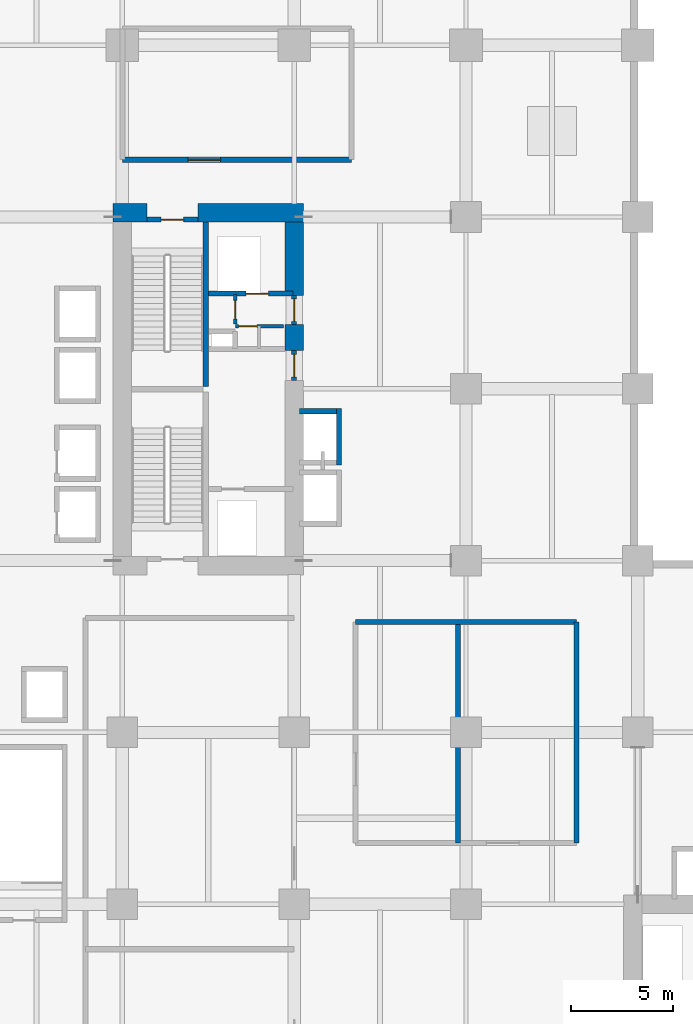
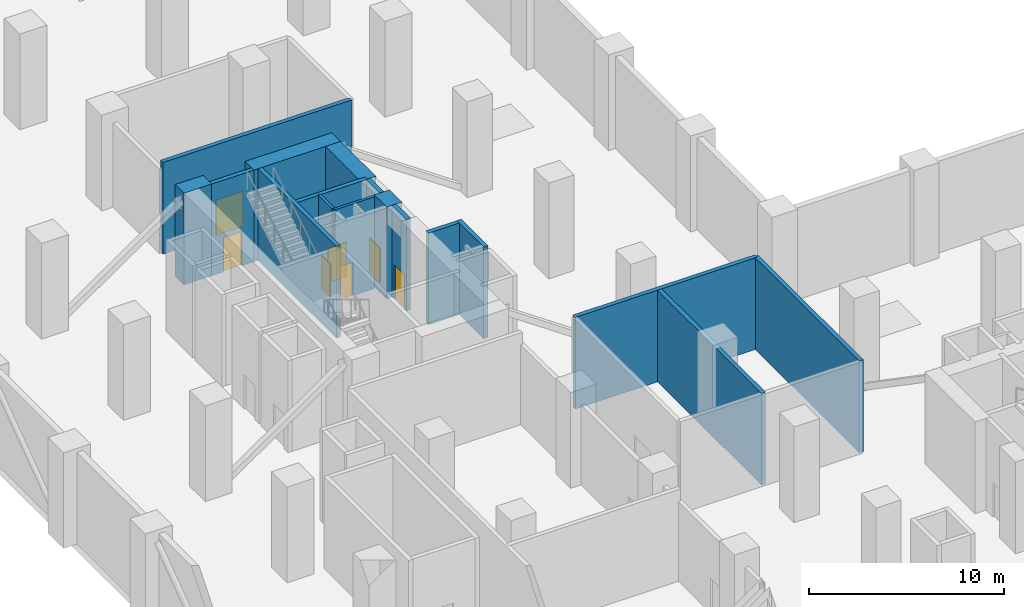
# One storey, part 16 of 20: 17 walls, 7 doors, 7 openings.
"""IFC4 building model written with IfcOpenShell, lengths in metres."""

from ifc_helpers import new_model, si_unit, direction, frame, frame_2d, origin, place, context, subcontext, project, spatial, rectangle, extrude, material, layer, layer_set, type_object, element, fill, save


model = new_model("IFC4")

# Units and contexts
model_context = context("Model", 3, precision=1e-05, world=origin(), true_north=direction((0.0, 1.0)))
body_context = subcontext(model_context, "Body", "Model", "MODEL_VIEW")
ifc_project = project(units=[si_unit("LENGTHUNIT", "METRE"), si_unit("AREAUNIT", "SQUARE_METRE"), si_unit("VOLUMEUNIT", "CUBIC_METRE"), si_unit("PLANEANGLEUNIT", "RADIAN"), si_unit("MASSUNIT", "GRAM", prefix="KILO")], contexts=[model_context])

# Site, building, storey
site_placement = place(None, origin())
site = spatial("IfcSite", under=ifc_project, at=site_placement, CompositionType="ELEMENT")
building_placement = place(site_placement, origin())
building = spatial("IfcBuilding", under=site, at=building_placement, Name="Koriwani Terraces Tower", CompositionType="ELEMENT")
storey_placement = place(building_placement, frame((0.0, 0.0, 26.0)))
storey = spatial("IfcBuildingStorey", under=building, at=storey_placement, Name="L05", CompositionType="ELEMENT", Elevation=26.0)

# Walls
ifc_material_1 = material(Name="Concrete C60/75", Category="concrete")
ifc_layer_1 = layer(ifc_material_1, 0.89990234375, Name="Concrete C60/75")
ifc_layer_set_1 = layer_set([ifc_layer_1], Name="Concrete C60/75")
wall_type_1 = type_object("IfcWallType", Name="WALL_CORE_RC_900", PredefinedType="SHEAR", material=ifc_layer_set_1)
wall_1_placement = place(storey_placement, frame((16.35009765625, 59.0, 0.0), z_axis=(0.0, 0.0, 1.0), x_axis=(1.0, 0.0, 0.0)))
element("IfcWall", 1, at=wall_1_placement, inside=storey, type_object=wall_type_1, Name="L05 West Split Core Shear Wall N1", PredefinedType="SHEAR", context=body_context, shape_type="SweptSolid", body=[
    extrude(rectangle(XDim=1.64990234375, YDim=0.89990234375, at=frame_2d((0.824951171875, 0.0))), origin(), (0.0, 0.0, 1.0), 5.75),
])
wall_2_placement = place(storey_placement, frame((20.5, 59.0, 0.0), z_axis=(0.0, 0.0, 1.0), x_axis=(1.0, 0.0, 0.0)))
element("IfcWall", 2, at=wall_2_placement, inside=storey, type_object=wall_type_1, Name="L05 West Split Core Shear Wall N2", PredefinedType="SHEAR", context=body_context, shape_type="SweptSolid", body=[
    extrude(rectangle(XDim=5.14990234375, YDim=0.89990234375, at=frame_2d((2.574951171875, 0.0))), origin(), (0.0, 0.0, 1.0), 5.75),
])
wall_3_placement = place(storey_placement, frame((25.199951171875, 52.280029296875, 0.0), z_axis=(0.0, 0.0, 1.0), x_axis=(0.0, 1.0, 0.0)))
element("IfcWall", 3, at=wall_3_placement, inside=storey, type_object=wall_type_1, Name="L05 West Split Core Shear Wall E2", PredefinedType="SHEAR", context=body_context, shape_type="SweptSolid", body=[
    extrude(rectangle(XDim=1.27001953125, YDim=0.89990234375, at=frame_2d((0.635009765625, 0.0))), origin(), (0.0, 0.0, 1.0), 5.75),
])
wall_4_placement = place(storey_placement, frame((25.199951171875, 54.949951171875, 0.0), z_axis=(0.0, 0.0, 1.0), x_axis=(0.0, 1.0, 0.0)))
element("IfcWall", 4, at=wall_4_placement, inside=storey, type_object=wall_type_1, Name="L05 West Split Core Shear Wall E3", PredefinedType="SHEAR", context=body_context, shape_type="SweptSolid", body=[
    extrude(rectangle(XDim=3.60009765625, YDim=0.89990234375, at=frame_2d((1.800048828125, 0.0))), origin(), (0.0, 0.0, 1.0), 5.75),
])
ifc_material_2 = material(Name="Concrete C40/50", Category="concrete")
ifc_layer_2 = layer(ifc_material_2, 0.25, Name="Concrete C40/50")
ifc_layer_set_2 = layer_set([ifc_layer_2], Name="Concrete C40/50")
wall_type_2 = type_object("IfcWallType", Name="WALL_SHAFT_RATED_250", PredefinedType="SOLIDWALL", material=ifc_layer_set_2)
wall_5_placement = place(storey_placement, frame((20.875, 50.5, 0.0), z_axis=(0.0, 0.0, 1.0), x_axis=(0.0, 1.0, 0.0)))
element("IfcWall", 5, at=wall_5_placement, inside=storey, type_object=wall_type_2, Name="L05 West Split Core Web Wall MID2", PredefinedType="SOLIDWALL", context=body_context, shape_type="SweptSolid", body=[
    extrude(rectangle(XDim=8.050048828125, YDim=0.25, at=frame_2d((4.02490234375, 0.0))), origin(), (0.0, 0.0, 1.0), 5.75),
])

# Wall, opening, door
wall_6_placement = place(storey_placement, frame((18.0, 58.675048828125, 0.0), z_axis=(0.0, 0.0, 1.0), x_axis=(1.0, 0.0, 0.0)))
wall_6 = element("IfcWall", 6, at=wall_6_placement, inside=storey, type_object=wall_type_2, Name="L05 Interior Wall WIN-CW-L05-STN", PredefinedType="SOLIDWALL", context=body_context, shape_type="SweptSolid", body=[
    extrude(rectangle(XDim=2.5, YDim=0.25, at=frame_2d((1.25, 0.0))), origin(), (0.0, 0.0, 1.0), 5.75),
])
opening_1_placement = place(wall_6_placement, frame((0.699951171875, 0.0, 0.0)))
opening_1 = element("IfcOpeningElement", 7, at=opening_1_placement, cuts=wall_6, Name="Opening D-03", PredefinedType="OPENING", context=body_context, shape_type="SweptSolid", body=[
    extrude(rectangle(XDim=1.10009765625, YDim=2.14990234375, at=frame_2d((0.550048828125, 1.074951171875))), frame((0.0, 0.135009765625, 0.0), z_axis=(0.0, -1.0, 0.0), x_axis=(1.0, 0.0, 0.0)), (0.0, 0.0, 1.0), 0.27001953125),
])
ifc_material_3 = material(Name="Steel ASTM A572 Grade 50", Category="steel")
door_type_1 = type_object("IfcDoorType", Name="DOOR_STAIR_FIRE_1100X2150", OperationType="NOTDEFINED", PredefinedType="DOOR", material=ifc_material_3)
door_1_placement = place(opening_1_placement, origin())
door_1 = element("IfcDoor", 8, at=door_1_placement, inside=storey, type_object=door_type_1, Name="L05 Exit Stair ST-W2 Door", OperationType="SINGLE_SWING_RIGHT", OverallHeight=2.14990234375, OverallWidth=1.10009765625, PredefinedType="DOOR", context=body_context, shape_type="SweptSolid", body=[
    extrude(rectangle(XDim=1.10009765625, YDim=2.14990234375, at=frame_2d((0.550048828125, 1.074951171875))), frame((0.0, 0.02490234375, 0.0), z_axis=(0.0, -1.0, 0.0), x_axis=(1.0, 0.0, 0.0)), (0.0, 0.0, 1.0), 0.050048828125),
])
fill(opening_1, door_1)

wall_7_placement = place(storey_placement, frame((25.199951171875, 50.800048828125, 0.0), z_axis=(0.0, 0.0, 1.0), x_axis=(0.0, 1.0, 0.0)))
wall_7 = element("IfcWall", 9, at=wall_7_placement, inside=storey, type_object=wall_type_2, Name="L05 Interior Wall WIN-CW-L05-EP", PredefinedType="SOLIDWALL", context=body_context, shape_type="SweptSolid", body=[
    extrude(rectangle(XDim=1.47998046875, YDim=0.25, at=frame_2d((0.739990234375, 0.0))), origin(), (0.0, 0.0, 1.0), 5.75),
])
opening_2_placement = place(wall_7_placement, frame((0.179931640625, 0.0, 0.0)))
opening_2 = element("IfcOpeningElement", 10, at=opening_2_placement, cuts=wall_7, Name="Opening D-03", PredefinedType="OPENING", context=body_context, shape_type="SweptSolid", body=[
    extrude(rectangle(XDim=1.10009765625, YDim=2.14990234375, at=frame_2d((0.550048828125, 1.074951171875))), frame((0.0, 0.135009765625, 0.0), z_axis=(0.0, -1.0, 0.0), x_axis=(1.0, 0.0, 0.0)), (0.0, 0.0, 1.0), 0.27001953125),
])
door_2_placement = place(opening_2_placement, origin())
door_2 = element("IfcDoor", 11, at=door_2_placement, inside=storey, type_object=door_type_1, Name="L05 West Firefighting Lobby Door", OperationType="SINGLE_SWING_LEFT", OverallHeight=2.14990234375, OverallWidth=1.10009765625, PredefinedType="DOOR", context=body_context, shape_type="SweptSolid", body=[
    extrude(rectangle(XDim=1.10009765625, YDim=2.14990234375, at=frame_2d((0.550048828125, 1.074951171875))), frame((0.0, 0.02490234375, 0.0), z_axis=(0.0, -1.0, 0.0), x_axis=(1.0, 0.0, 0.0)), (0.0, 0.0, 1.0), 0.050048828125),
])
fill(opening_2, door_2)

wall_8_placement = place(storey_placement, frame((21.0, 55.050048828125, 0.0), z_axis=(0.0, 0.0, 1.0), x_axis=(1.0, 0.0, 0.0)))
wall_8 = element("IfcWall", 12, at=wall_8_placement, inside=storey, type_object=wall_type_2, Name="L05 Interior Wall WIN-CW-L05-SE", PredefinedType="SOLIDWALL", context=body_context, shape_type="SweptSolid", body=[
    extrude(rectangle(XDim=4.14990234375, YDim=0.25, at=frame_2d((2.074951171875, 0.0))), origin(), (0.0, 0.0, 1.0), 5.75),
])
opening_3_placement = place(wall_8_placement, frame((1.85009765625, 0.0, 0.0)))
opening_3 = element("IfcOpeningElement", 13, at=opening_3_placement, cuts=wall_8, Name="Opening LD-01", PredefinedType="OPENING", context=body_context, shape_type="SweptSolid", body=[
    extrude(rectangle(XDim=1.10009765625, YDim=2.14990234375, at=frame_2d((0.550048828125, 1.074951171875))), frame((0.0, 0.135009765625, 0.0), z_axis=(0.0, -1.0, 0.0), x_axis=(1.0, 0.0, 0.0)), (0.0, 0.0, 1.0), 0.27001953125),
])
door_type_2 = type_object("IfcDoorType", Name="DOOR_LIFT_LANDING_1100X2200", OperationType="NOTDEFINED", PredefinedType="DOOR", material=ifc_material_3)
door_3_placement = place(opening_3_placement, origin())
door_3 = element("IfcDoor", 14, at=door_3_placement, inside=storey, type_object=door_type_2, Name="L05 Goods Lift SE-01 Landing Door", OperationType="SLIDING_TO_LEFT", OverallHeight=2.14990234375, OverallWidth=1.10009765625, PredefinedType="DOOR", context=body_context, shape_type="SweptSolid", body=[
    extrude(rectangle(XDim=1.10009765625, YDim=2.14990234375, at=frame_2d((0.550048828125, 1.074951171875))), frame((0.0, 0.02490234375, 0.0), z_axis=(0.0, -1.0, 0.0), x_axis=(1.0, 0.0, 0.0)), (0.0, 0.0, 1.0), 0.050048828125),
])
fill(opening_3, door_3)

wall_9_placement = place(storey_placement, frame((25.199951171875, 53.550048828125, 0.0), z_axis=(0.0, 0.0, 1.0), x_axis=(0.0, 1.0, 0.0)))
wall_9 = element("IfcWall", 15, at=wall_9_placement, inside=storey, type_object=wall_type_2, Name="L05 Interior Wall WIN-CW-L05-EP2", PredefinedType="SOLIDWALL", context=body_context, shape_type="SweptSolid", body=[
    extrude(rectangle(XDim=1.39990234375, YDim=0.25, at=frame_2d((0.699951171875, 0.0))), origin(), (0.0, 0.0, 1.0), 5.75),
])
opening_4_placement = place(wall_9_placement, frame((0.14990234375, 0.0, 0.0)))
opening_4 = element("IfcOpeningElement", 16, at=opening_4_placement, cuts=wall_9, Name="Opening D-03", PredefinedType="OPENING", context=body_context, shape_type="SweptSolid", body=[
    extrude(rectangle(XDim=1.10009765625, YDim=2.14990234375, at=frame_2d((0.550048828125, 1.074951171875))), frame((0.0, 0.135009765625, 0.0), z_axis=(0.0, -1.0, 0.0), x_axis=(1.0, 0.0, 0.0)), (0.0, 0.0, 1.0), 0.27001953125),
])
door_4_placement = place(opening_4_placement, origin())
door_4 = element("IfcDoor", 17, at=door_4_placement, inside=storey, type_object=door_type_1, Name="L05 West Goods Lift Lobby Door", OperationType="SINGLE_SWING_RIGHT", OverallHeight=2.14990234375, OverallWidth=1.10009765625, PredefinedType="DOOR", context=body_context, shape_type="SweptSolid", body=[
    extrude(rectangle(XDim=1.10009765625, YDim=2.14990234375, at=frame_2d((0.550048828125, 1.074951171875))), frame((0.0, 0.02490234375, 0.0), z_axis=(0.0, -1.0, 0.0), x_axis=(1.0, 0.0, 0.0)), (0.0, 0.0, 1.0), 0.050048828125),
])
fill(opening_4, door_4)

# Walls
wall_10_placement = place(storey_placement, frame((27.39990234375, 46.675048828125, 0.0), z_axis=(0.0, 0.0, 1.0), x_axis=(0.0, 1.0, 0.0)))
element("IfcWall", 18, at=wall_10_placement, inside=storey, type_object=wall_type_2, Name="L05 Interior Wall WIN-LF-PE-H2-L05-F", PredefinedType="SOLIDWALL", context=body_context, shape_type="SweptSolid", body=[
    extrude(rectangle(XDim=2.75, YDim=0.25, at=frame_2d((1.375, 0.0))), origin(), (0.0, 0.0, 1.0), 5.75),
])
wall_11_placement = place(storey_placement, frame((25.449951171875, 49.300048828125, 0.0), z_axis=(0.0, 0.0, 1.0), x_axis=(1.0, 0.0, 0.0)))
element("IfcWall", 19, at=wall_11_placement, inside=storey, type_object=wall_type_2, Name="L05 Interior Wall WIN-LF-PE-H2-L05-N", PredefinedType="SOLIDWALL", context=body_context, shape_type="SweptSolid", body=[
    extrude(rectangle(XDim=1.824951171875, YDim=0.25, at=frame_2d((0.91259765625, 0.0))), origin(), (0.0, 0.0, 1.0), 5.75),
])

# Wall, opening, door
wall_12_placement = place(storey_placement, frame((16.800048828125, 61.60009765625, 0.0), z_axis=(0.0, 0.0, 1.0), x_axis=(1.0, 0.0, 0.0)))
wall_12 = element("IfcWall", 20, at=wall_12_placement, inside=storey, type_object=wall_type_2, Name="L05 Interior Wall WREF-W1-L05", PredefinedType="SOLIDWALL", context=body_context, shape_type="SweptSolid", body=[
    extrude(rectangle(XDim=11.199951171875, YDim=0.25, at=frame_2d((5.60009765625, 0.0))), origin(), (0.0, 0.0, 1.0), 5.75),
])
opening_5_placement = place(wall_12_placement, frame((3.199951171875, 0.0, 0.0)))
opening_5 = element("IfcOpeningElement", 21, at=opening_5_placement, cuts=wall_12, Name="Opening D-08", PredefinedType="OPENING", context=body_context, shape_type="SweptSolid", body=[
    extrude(rectangle(XDim=1.60009765625, YDim=2.199951171875, at=frame_2d((0.800048828125, 1.10009765625))), frame((0.0, 0.135009765625, 0.0), z_axis=(0.0, -1.0, 0.0), x_axis=(1.0, 0.0, 0.0)), (0.0, 0.0, 1.0), 0.27001953125),
])
door_type_3 = type_object("IfcDoorType", Name="DOOR_PLANT_DOUBLE_1600X2200", OperationType="NOTDEFINED", PredefinedType="DOOR", material=ifc_material_3)
door_5_placement = place(opening_5_placement, origin())
door_5 = element("IfcDoor", 22, at=door_5_placement, inside=storey, type_object=door_type_3, Name="L05 West Fire Refuge Area Door", OperationType="SINGLE_SWING_LEFT", OverallHeight=2.199951171875, OverallWidth=1.60009765625, PredefinedType="DOOR", context=body_context, shape_type="SweptSolid", body=[
    extrude(rectangle(XDim=1.60009765625, YDim=2.199951171875, at=frame_2d((0.800048828125, 1.10009765625))), frame((0.0, 0.02490234375, 0.0), z_axis=(0.0, -1.0, 0.0), x_axis=(1.0, 0.0, 0.0)), (0.0, 0.0, 1.0), 0.050048828125),
])
fill(opening_5, door_5)

# Walls
for number, where, z_axis, x_axis, name in (
    (23, (39.0, 28.199951171875, 0.0), (0.0, 0.0, 1.0), (0.0, 1.0, 0.0), "L05 Interior Wall WPL2-L05-E"),
    (24, (28.199951171875, 39.0, 0.0), (0.0, 0.0, 1.0), (1.0, 0.0, 0.0), "L05 Interior Wall WPL2-L05-N"),
    (25, (33.199951171875, 28.199951171875, 0.0), (0.0, 0.0, 1.0), (0.0, 1.0, 0.0), "L05 Interior Wall WPL2-L05-M"),
):
    element("IfcWall", number, at=place(storey_placement, frame(where, z_axis=z_axis, x_axis=x_axis)), inside=storey, type_object=wall_type_2, Name=name, PredefinedType="SOLIDWALL", context=body_context, shape_type="SweptSolid", body=[
        extrude(rectangle(XDim=10.800048828125, YDim=0.25, at=frame_2d((5.39990234375, 0.0))), origin(), (0.0, 0.0, 1.0), 5.75),
    ])

# Wall, opening, door
ifc_material_4 = material(Name="Fire-Rated Acoustic Gypsum Partition", Category="masonry")
ifc_layer_3 = layer(ifc_material_4, 0.159912109375, Name="Fire-Rated Acoustic Gypsum Partition")
ifc_layer_set_3 = layer_set([ifc_layer_3], Name="Fire-Rated Acoustic Gypsum Partition")
wall_type_3 = type_object("IfcWallType", Name="WALL_SUITE_160", PredefinedType="PARTITIONING", material=ifc_layer_set_3)
wall_13_placement = place(storey_placement, frame((22.320068359375, 53.56005859375, 0.0), z_axis=(0.0, 0.0, 1.0), x_axis=(0.0, 1.0, 0.0)))
wall_13 = element("IfcWall", 26, at=wall_13_placement, inside=storey, type_object=wall_type_3, Name="L05 Interior Wall WIN-CW-L05-SV2A", PredefinedType="PARTITIONING", context=body_context, shape_type="SweptSolid", body=[
    extrude(rectangle(XDim=1.43994140625, YDim=0.159912109375, at=frame_2d((0.719970703125, 0.0))), origin(), (0.0, 0.0, 1.0), 5.75),
])
opening_6_placement = place(wall_13_placement, frame((0.260009765625, 0.0, 0.0)))
opening_6 = element("IfcOpeningElement", 27, at=opening_6_placement, cuts=wall_13, Name="Opening D-07", PredefinedType="OPENING", context=body_context, shape_type="SweptSolid", body=[
    extrude(rectangle(XDim=0.89990234375, YDim=2.10009765625, at=frame_2d((0.449951171875, 1.050048828125))), frame((0.0, 0.08984375, 0.0), z_axis=(0.0, -1.0, 0.0), x_axis=(1.0, 0.0, 0.0)), (0.0, 0.0, 1.0), 0.179931640625),
])
ifc_material_5 = material(Name="Architectural Oak Fire Door", Category="wood")
door_type_4 = type_object("IfcDoorType", Name="DOOR_BATH_INT_900X2100", OperationType="NOTDEFINED", PredefinedType="DOOR", material=ifc_material_5)
door_6_placement = place(opening_6_placement, origin())
door_6 = element("IfcDoor", 28, at=door_6_placement, inside=storey, type_object=door_type_4, Name="L05 West Meter Room Door", OperationType="SINGLE_SWING_LEFT", OverallHeight=2.10009765625, OverallWidth=0.89990234375, PredefinedType="DOOR", context=body_context, shape_type="SweptSolid", body=[
    extrude(rectangle(XDim=0.89990234375, YDim=2.10009765625, at=frame_2d((0.449951171875, 1.050048828125))), frame((0.0, 0.02490234375, 0.0), z_axis=(0.0, -1.0, 0.0), x_axis=(1.0, 0.0, 0.0)), (0.0, 0.0, 1.0), 0.050048828125),
])
fill(opening_6, door_6)

wall_14_placement = place(storey_placement, frame((22.320068359375, 53.4599609375, 0.0), z_axis=(0.0, 0.0, 1.0), x_axis=(1.0, 0.0, 0.0)))
wall_14 = element("IfcWall", 29, at=wall_14_placement, inside=storey, type_object=wall_type_3, Name="L05 Interior Wall WIN-CW-L05-SV2H", PredefinedType="PARTITIONING", context=body_context, shape_type="SweptSolid", body=[
    extrude(rectangle(XDim=2.35986328125, YDim=0.159912109375, at=frame_2d((1.179931640625, 0.0))), origin(), (0.0, 0.0, 1.0), 5.75),
])
opening_7_placement = place(wall_14_placement, frame((0.159912109375, 0.0, 0.0)))
opening_7 = element("IfcOpeningElement", 30, at=opening_7_placement, cuts=wall_14, Name="Opening D-07", PredefinedType="OPENING", context=body_context, shape_type="SweptSolid", body=[
    extrude(rectangle(XDim=0.89990234375, YDim=2.10009765625, at=frame_2d((0.449951171875, 1.050048828125))), frame((0.0, 0.08984375, 0.0), z_axis=(0.0, -1.0, 0.0), x_axis=(1.0, 0.0, 0.0)), (0.0, 0.0, 1.0), 0.179931640625),
])
door_7_placement = place(opening_7_placement, origin())
door_7 = element("IfcDoor", 31, at=door_7_placement, inside=storey, type_object=door_type_4, Name="L05 West Valve Room Door", OperationType="SINGLE_SWING_RIGHT", OverallHeight=2.10009765625, OverallWidth=0.89990234375, PredefinedType="DOOR", context=body_context, shape_type="SweptSolid", body=[
    extrude(rectangle(XDim=0.89990234375, YDim=2.10009765625, at=frame_2d((0.449951171875, 1.050048828125))), frame((0.0, 0.02490234375, 0.0), z_axis=(0.0, -1.0, 0.0), x_axis=(1.0, 0.0, 0.0)), (0.0, 0.0, 1.0), 0.050048828125),
])
fill(opening_7, door_7)

save(model, "model.ifc")
